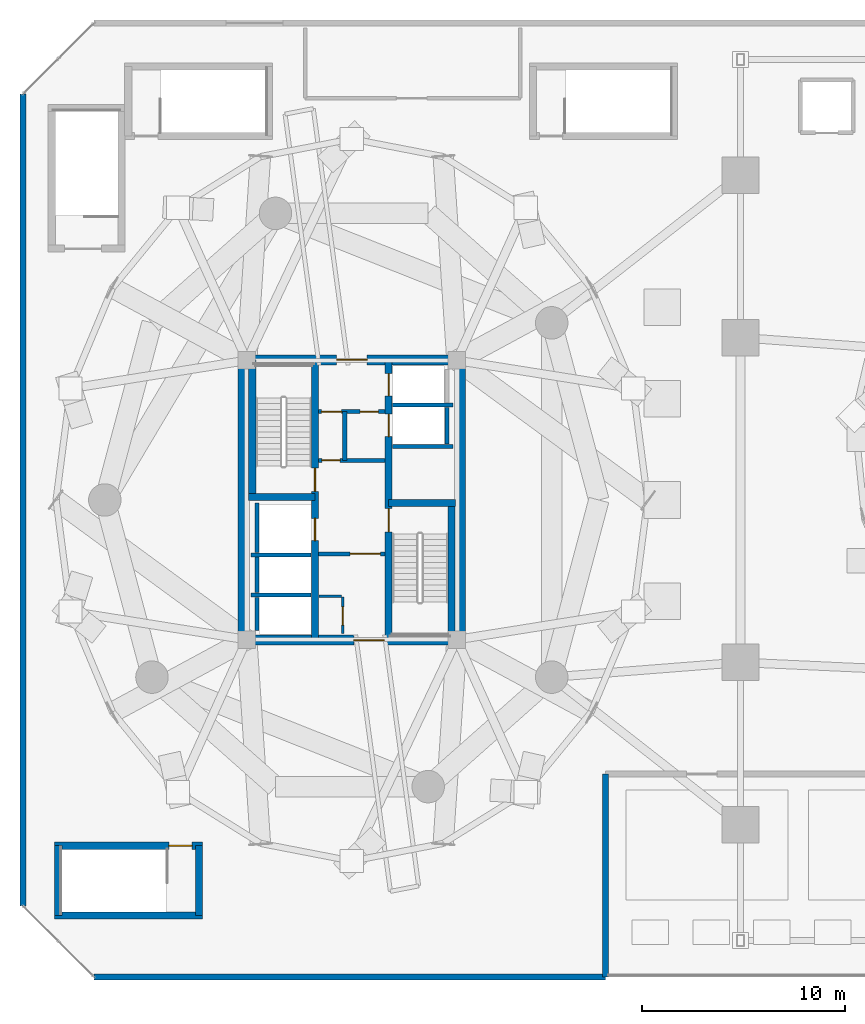
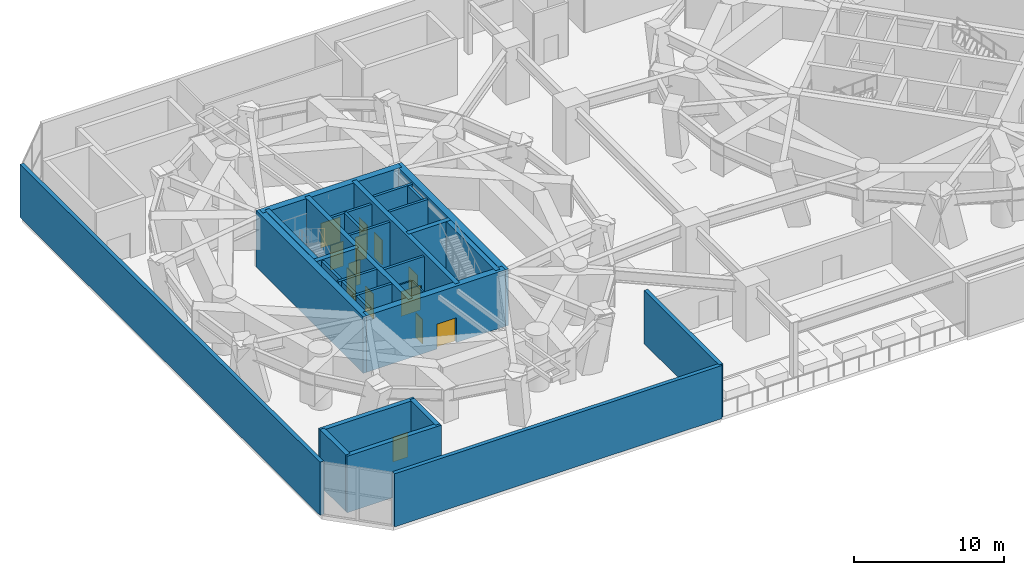
# One storey, part 17 of 25: 31 walls, 13 doors, 13 openings.
"""IFC4 building model written with IfcOpenShell, lengths in metres."""

from ifc_helpers import new_model, si_unit, direction, frame, frame_2d, origin, place, context, subcontext, project, spatial, rectangle, extrude, source, transform, mapped, material, layer, layer_set, type_object, element, fill, save


model = new_model("IFC4")

# Units and contexts
model_context = context("Model", 3, precision=1e-05, world=origin(), true_north=direction((0.0, 1.0)))
body_context = subcontext(model_context, "Body", "Model", "MODEL_VIEW")
ifc_project = project(units=[si_unit("LENGTHUNIT", "METRE"), si_unit("AREAUNIT", "SQUARE_METRE"), si_unit("VOLUMEUNIT", "CUBIC_METRE"), si_unit("PLANEANGLEUNIT", "RADIAN"), si_unit("MASSUNIT", "GRAM", prefix="KILO")], contexts=[model_context])

# Site, building, storey
site_placement = place(None, origin())
site = spatial("IfcSite", under=ifc_project, at=site_placement, CompositionType="ELEMENT")
building_placement = place(site_placement, origin())
building = spatial("IfcBuilding", under=site, at=building_placement, Name="Cununo Teusaquillo Station Towers", CompositionType="ELEMENT")
storey_placement = place(building_placement, frame((0.0, 0.0, 17.39990234375)))
storey = spatial("IfcBuildingStorey", under=building, at=storey_placement, Name="L04", CompositionType="ELEMENT", Elevation=17.39990234375)

# Walls
ifc_material_1 = material(Name="Concrete C50/60", Category="concrete")
ifc_layer_1 = layer(ifc_material_1, 0.199951171875)
ifc_layer_set_1 = layer_set([ifc_layer_1], Name="Concrete C50/60")
wall_type_1 = type_object("IfcWallType", Name="WL-CORE-200", PredefinedType="SHEAR", material=ifc_layer_set_1)
wall_1_placement = place(storey_placement, frame((11.52001953125, 21.800048828125, 0.0), z_axis=(0.0, 0.0, 1.0), x_axis=(1.0, 0.0, 0.0)))
element("IfcWall", 1, at=wall_1_placement, inside=storey, type_object=wall_type_1, Name="L04 Tower A Firefighting Lift Shaft South Shear Wall", PredefinedType="SHEAR", context=body_context, shape_type="SweptSolid", body=[
    extrude(rectangle(XDim=2.969970703125, YDim=0.199951171875, at=frame_2d((1.48486328125, 0.0))), origin(), (0.0, 0.0, 1.0), 4.60009765625),
])
wall_2_placement = place(storey_placement, frame((11.820068359375, 21.919921875, 0.0), z_axis=(0.0, 0.0, 1.0), x_axis=(0.0, 1.0, 0.0)))
element("IfcWall", 2, at=wall_2_placement, inside=storey, type_object=wall_type_1, Name="L04 Tower A Firefighting Lift Shaft Rear Shear Wall", PredefinedType="SHEAR", context=body_context, shape_type="SweptSolid", body=[
    extrude(rectangle(XDim=2.440185546875, YDim=0.199951171875, at=frame_2d((1.22021484375, 0.0))), origin(), (0.0, 0.0, 1.0), 4.60009765625),
])
wall_3_placement = place(storey_placement, frame((11.52001953125, 19.824951171875, 0.0), z_axis=(0.0, 0.0, 1.0), x_axis=(1.0, 0.0, 0.0)))
element("IfcWall", 3, at=wall_3_placement, inside=storey, type_object=wall_type_1, Name="L04 Tower A High-Rise Lift Hoistway Divider Shear Wall", PredefinedType="SHEAR", context=body_context, shape_type="SweptSolid", body=[
    extrude(rectangle(XDim=2.969970703125, YDim=0.199951171875, at=frame_2d((1.48486328125, 0.0))), origin(), (0.0, 0.0, 1.0), 4.60009765625),
])
wall_4_placement = place(storey_placement, frame((11.820068359375, 19.945068359375, 0.0), z_axis=(0.0, 0.0, 1.0), x_axis=(0.0, 1.0, 0.0)))
element("IfcWall", 4, at=wall_4_placement, inside=storey, type_object=wall_type_1, Name="L04 Tower A High-Rise Lift 2 Shaft Rear Shear Wall", PredefinedType="SHEAR", context=body_context, shape_type="SweptSolid", body=[
    extrude(rectangle(XDim=1.73486328125, YDim=0.199951171875, at=frame_2d((0.867431640625, 0.0))), origin(), (0.0, 0.0, 1.0), 4.60009765625),
])
wall_5_placement = place(storey_placement, frame((11.820068359375, 18.070068359375, 0.0), z_axis=(0.0, 0.0, 1.0), x_axis=(0.0, 1.0, 0.0)))
element("IfcWall", 5, at=wall_5_placement, inside=storey, type_object=wall_type_1, Name="L04 Tower A High-Rise Lift 1 Shaft Rear Shear Wall", PredefinedType="SHEAR", context=body_context, shape_type="SweptSolid", body=[
    extrude(rectangle(XDim=1.635009765625, YDim=0.199951171875, at=frame_2d((0.8173828125, 0.0))), origin(), (0.0, 0.0, 1.0), 4.60009765625),
])
for number, where, z_axis, x_axis, name in (
    (6, (18.510009765625, 27.1298828125, 0.0), (0.0, 0.0, 1.0), (1.0, 0.0, 0.0), "L04 Tower A Low-Rise Lift Hoistway South Shear Wall"),
    (7, (18.510009765625, 29.175048828125, 0.0), (0.0, 0.0, 1.0), (1.0, 0.0, 0.0), "L04 Tower A Low-Rise Lift Hoistway Divider Shear Wall"),
):
    element("IfcWall", number, at=place(storey_placement, frame(where, z_axis=z_axis, x_axis=x_axis)), inside=storey, type_object=wall_type_1, Name=name, PredefinedType="SHEAR", context=body_context, shape_type="SweptSolid", body=[
        extrude(rectangle(XDim=2.969970703125, YDim=0.199951171875, at=frame_2d((1.48486328125, 0.0))), origin(), (0.0, 0.0, 1.0), 4.60009765625),
    ])
wall_6_placement = place(storey_placement, frame((21.179931640625, 27.25, 0.0), z_axis=(0.0, 0.0, 1.0), x_axis=(0.0, 1.0, 0.0)))
element("IfcWall", 8, at=wall_6_placement, inside=storey, type_object=wall_type_1, Name="L04 Tower A Low-Rise Lift 1 Shaft Rear Shear Wall", PredefinedType="SHEAR", context=body_context, shape_type="SweptSolid", body=[
    extrude(rectangle(XDim=1.804931640625, YDim=0.199951171875, at=frame_2d((0.90234375, 0.0))), origin(), (0.0, 0.0, 1.0), 4.60009765625),
])
ifc_material_2 = material(Name="Concrete C50/60", Category="concrete")
ifc_layer_2 = layer(ifc_material_2, 0.35009765625)
ifc_layer_set_2 = layer_set([ifc_layer_2], Name="Concrete C50/60")
wall_type_2 = type_object("IfcWallType", Name="WL-CORE-350", PredefinedType="SHEAR", material=ifc_layer_set_2)
wall_7_placement = place(storey_placement, frame((1.860107421875, 4.034912109375, 0.0), z_axis=(0.0, 0.0, 1.0), x_axis=(1.0, 0.0, 0.0)))
element("IfcWall", 9, at=wall_7_placement, inside=storey, type_object=wall_type_2, Name="L04 Podium South Exit Stair Concrete Shaft Wall S", PredefinedType="SHEAR", context=body_context, shape_type="SweptSolid", body=[
    extrude(rectangle(XDim=7.27978515625, YDim=0.35009765625, at=frame_2d((3.639892578125, 0.0))), origin(), (0.0, 0.0, 1.0), 4.60009765625),
])

# Wall, opening, door
wall_8_placement = place(storey_placement, frame((1.860107421875, 7.465087890625, 0.0), z_axis=(0.0, 0.0, 1.0), x_axis=(1.0, 0.0, 0.0)))
wall_8 = element("IfcWall", 10, at=wall_8_placement, inside=storey, type_object=wall_type_2, Name="L04 Podium South Exit Stair Concrete Shaft Wall N", PredefinedType="SHEAR", context=body_context, shape_type="SweptSolid", body=[
    extrude(rectangle(XDim=7.27978515625, YDim=0.35009765625, at=frame_2d((3.639892578125, 0.0))), origin(), (0.0, 0.0, 1.0), 4.60009765625),
])
shared_shape_1 = source(origin(), body_context, "Body", "SweptSolid", [
    extrude(rectangle(XDim=1.14990234375, YDim=2.02001953125, at=frame_2d((0.574951171875, 1.010009765625))), frame((0.0, 0.18505859375, 0.0), z_axis=(0.0, -1.0, 0.0), x_axis=(1.0, 0.0, 0.0)), (0.0, 0.0, 1.0), 0.3701171875),
])
opening_1_placement = place(wall_8_placement, frame((5.6201171875, 0.0, 0.0)))
opening_1 = element("IfcOpeningElement", 11, at=opening_1_placement, cuts=wall_8, Name="Opening D-ST1", PredefinedType="OPENING", context=body_context, shape_type="MappedRepresentation", body=[
    mapped(shared_shape_1, transform((0.0, 0.0, 0.0), x_axis=(1.0, 0.0, 0.0), y_axis=(0.0, 1.0, 0.0), z_axis=(0.0, 0.0, 1.0), scale=1.0)),
])
ifc_material_3 = material(Name="Galvanised fire-rated hollow steel door assembly", Category="steel")
door_type_1 = type_object("IfcDoorType", Name="DR-STAIR-1150", OperationType="NOTDEFINED", PredefinedType="DOOR", material=ifc_material_3)
shared_shape_2 = source(origin(), body_context, "Body", "SweptSolid", [
    extrude(rectangle(XDim=1.14990234375, YDim=2.02001953125, at=frame_2d((0.574951171875, 1.010009765625))), frame((0.0, 0.02490234375, 0.0), z_axis=(0.0, -1.0, 0.0), x_axis=(1.0, 0.0, 0.0)), (0.0, 0.0, 1.0), 0.050048828125),
])
door_1_placement = place(opening_1_placement, origin())
door_1 = element("IfcDoor", 12, at=door_1_placement, inside=storey, type_object=door_type_1, Name="L04 South Podium Exit Stair Door", OperationType="SINGLE_SWING_RIGHT", OverallHeight=2.02001953125, OverallWidth=1.14990234375, PredefinedType="DOOR", context=body_context, shape_type="MappedRepresentation", body=[
    mapped(shared_shape_2, transform((0.0, 0.0, 0.0), x_axis=(1.0, 0.0, 0.0), y_axis=(0.0, 1.0, 0.0), z_axis=(0.0, 0.0, 1.0), scale=1.0)),
])
fill(opening_1, door_1)

# Walls
for number, where, z_axis, x_axis, name in (
    (13, (2.034912109375, 4.034912109375, 0.0), (0.0, 0.0, 1.0), (0.0, 1.0, 0.0), "L04 Podium South Exit Stair Concrete Shaft Wall W"),
    (14, (8.965087890625, 4.034912109375, 0.0), (0.0, 0.0, 1.0), (0.0, 1.0, 0.0), "L04 Podium South Exit Stair Concrete Shaft Wall E"),
):
    element("IfcWall", number, at=place(storey_placement, frame(where, z_axis=z_axis, x_axis=x_axis)), inside=storey, type_object=wall_type_2, Name=name, PredefinedType="SHEAR", context=body_context, shape_type="SweptSolid", body=[
        extrude(rectangle(XDim=3.43017578125, YDim=0.35009765625, at=frame_2d((1.715087890625, 0.0))), origin(), (0.0, 0.0, 1.0), 4.60009765625),
    ])

# Wall, openings, doors
wall_9_placement = place(storey_placement, frame((14.68505859375, 17.60009765625, 0.0), z_axis=(0.0, 0.0, 1.0), x_axis=(0.0, 1.0, 0.0)))
wall_9 = element("IfcWall", 15, at=wall_9_placement, inside=storey, type_object=wall_type_2, Name="L04 Tower A Core Shear Wall IW", PredefinedType="SHEAR", context=body_context, shape_type="SweptSolid", body=[
    extrude(rectangle(XDim=13.7998046875, YDim=0.35009765625, at=frame_2d((6.89990234375, 0.0))), origin(), (0.0, 0.0, 1.0), 4.60009765625),
])
shared_shape_3 = source(origin(), body_context, "Body", "SweptSolid", [
    extrude(rectangle(XDim=1.10009765625, YDim=2.014892578125, at=frame_2d((0.550048828125, 1.00732421875))), frame((0.0, 0.18505859375, 0.0), z_axis=(0.0, -1.0, 0.0), x_axis=(1.0, 0.0, 0.0)), (0.0, 0.0, 1.0), 0.3701171875),
])
opening_2_placement = place(wall_9_placement, frame((4.89990234375, 0.0, 0.0)))
opening_2 = element("IfcOpeningElement", 16, at=opening_2_placement, cuts=wall_9, Name="Opening LD-01", PredefinedType="OPENING", context=body_context, shape_type="MappedRepresentation", body=[
    mapped(shared_shape_3, transform((0.0, 0.0, 0.0), x_axis=(1.0, 0.0, 0.0), y_axis=(0.0, 1.0, 0.0), z_axis=(0.0, 0.0, 1.0), scale=1.0)),
])
opening_3_placement = place(wall_9_placement, frame((7.320068359375, 0.0, 0.0)))
opening_3 = element("IfcOpeningElement", 17, at=opening_3_placement, cuts=wall_9, Name="Opening D-ST1", PredefinedType="OPENING", context=body_context, shape_type="MappedRepresentation", body=[
    mapped(shared_shape_1, transform((0.0, 0.0, 0.0), x_axis=(1.0, 0.0, 0.0), y_axis=(0.0, 1.0, 0.0), z_axis=(0.0, 0.0, 1.0), scale=1.0)),
])
ifc_material_4 = material(Name="Galvanised fire-rated hollow steel door assembly", Category="steel")
door_type_2 = type_object("IfcDoorType", Name="DR-LIFT-1100", OperationType="SLIDING_TO_LEFT", PredefinedType="DOOR", material=ifc_material_4)
shared_shape_4 = source(origin(), body_context, "Body", "SweptSolid", [
    extrude(rectangle(XDim=1.10009765625, YDim=2.014892578125, at=frame_2d((0.550048828125, 1.00732421875))), frame((0.0, 0.02490234375, 0.0), z_axis=(0.0, -1.0, 0.0), x_axis=(1.0, 0.0, 0.0)), (0.0, 0.0, 1.0), 0.050048828125),
])
door_2_placement = place(opening_2_placement, origin())
door_2 = element("IfcDoor", 18, at=door_2_placement, inside=storey, type_object=door_type_2, Name="L04 Lift FL-T1 Sliding Landing Door", OperationType="SLIDING_TO_LEFT", OverallHeight=2.014892578125, OverallWidth=1.10009765625, PredefinedType="DOOR", context=body_context, shape_type="MappedRepresentation", body=[
    mapped(shared_shape_4, transform((0.0, 0.0, 0.0), x_axis=(1.0, 0.0, 0.0), y_axis=(0.0, 1.0, 0.0), z_axis=(0.0, 0.0, 1.0), scale=1.0)),
])
fill(opening_2, door_2)
door_3_placement = place(opening_3_placement, origin())
door_3 = element("IfcDoor", 19, at=door_3_placement, inside=storey, type_object=door_type_1, Name="L04 Tower A Exit Stair 1 Fire Door", OperationType="SINGLE_SWING_LEFT", OverallHeight=2.02001953125, OverallWidth=1.14990234375, PredefinedType="DOOR", context=body_context, shape_type="MappedRepresentation", body=[
    mapped(shared_shape_2, transform((0.0, 0.0, 0.0), x_axis=(1.0, 0.0, 0.0), y_axis=(0.0, 1.0, 0.0), z_axis=(0.0, 0.0, 1.0), scale=1.0)),
])
fill(opening_3, door_3)

wall_10_placement = place(storey_placement, frame((18.31494140625, 17.60009765625, 0.0), z_axis=(0.0, 0.0, 1.0), x_axis=(0.0, 1.0, 0.0)))
wall_10 = element("IfcWall", 20, at=wall_10_placement, inside=storey, type_object=wall_type_2, Name="L04 Tower A Core Shear Wall IE", PredefinedType="SHEAR", context=body_context, shape_type="SweptSolid", body=[
    extrude(rectangle(XDim=13.7998046875, YDim=0.35009765625, at=frame_2d((6.89990234375, 0.0))), origin(), (0.0, 0.0, 1.0), 4.60009765625),
])
opening_4_placement = place(wall_10_placement, frame((10.02490234375, 0.0, 0.0)))
opening_4 = element("IfcOpeningElement", 21, at=opening_4_placement, cuts=wall_10, Name="Opening LD-01", PredefinedType="OPENING", context=body_context, shape_type="MappedRepresentation", body=[
    mapped(shared_shape_3, transform((0.0, 0.0, 0.0), x_axis=(1.0, 0.0, 0.0), y_axis=(0.0, 1.0, 0.0), z_axis=(0.0, 0.0, 1.0), scale=1.0)),
])
opening_5_placement = place(wall_10_placement, frame((12.02490234375, 0.0, 0.0)))
opening_5 = element("IfcOpeningElement", 22, at=opening_5_placement, cuts=wall_10, Name="Opening LD-01", PredefinedType="OPENING", context=body_context, shape_type="MappedRepresentation", body=[
    mapped(shared_shape_3, transform((0.0, 0.0, 0.0), x_axis=(1.0, 0.0, 0.0), y_axis=(0.0, 1.0, 0.0), z_axis=(0.0, 0.0, 1.0), scale=1.0)),
])
opening_6_placement = place(wall_10_placement, frame((5.330078125, 0.0, 0.0)))
opening_6 = element("IfcOpeningElement", 23, at=opening_6_placement, cuts=wall_10, Name="Opening D-ST1", PredefinedType="OPENING", context=body_context, shape_type="MappedRepresentation", body=[
    mapped(shared_shape_1, transform((0.0, 0.0, 0.0), x_axis=(1.0, 0.0, 0.0), y_axis=(0.0, 1.0, 0.0), z_axis=(0.0, 0.0, 1.0), scale=1.0)),
])
door_4_placement = place(opening_4_placement, origin())
door_4 = element("IfcDoor", 24, at=door_4_placement, inside=storey, type_object=door_type_2, Name="L04 Lift PL-T1-L1 Sliding Landing Door", OperationType="SLIDING_TO_RIGHT", OverallHeight=2.014892578125, OverallWidth=1.10009765625, PredefinedType="DOOR", context=body_context, shape_type="MappedRepresentation", body=[
    mapped(shared_shape_4, transform((0.0, 0.0, 0.0), x_axis=(1.0, 0.0, 0.0), y_axis=(0.0, 1.0, 0.0), z_axis=(0.0, 0.0, 1.0), scale=1.0)),
])
fill(opening_4, door_4)
door_5_placement = place(opening_5_placement, origin())
door_5 = element("IfcDoor", 25, at=door_5_placement, inside=storey, type_object=door_type_2, Name="L04 Lift PL-T1-L2 Sliding Landing Door", OperationType="SLIDING_TO_LEFT", OverallHeight=2.014892578125, OverallWidth=1.10009765625, PredefinedType="DOOR", context=body_context, shape_type="MappedRepresentation", body=[
    mapped(shared_shape_4, transform((0.0, 0.0, 0.0), x_axis=(1.0, 0.0, 0.0), y_axis=(0.0, 1.0, 0.0), z_axis=(0.0, 0.0, 1.0), scale=1.0)),
])
fill(opening_5, door_5)
door_6_placement = place(opening_6_placement, origin())
door_6 = element("IfcDoor", 26, at=door_6_placement, inside=storey, type_object=door_type_1, Name="L04 Tower A Exit Stair 2 Fire Door", OperationType="SINGLE_SWING_RIGHT", OverallHeight=2.02001953125, OverallWidth=1.14990234375, PredefinedType="DOOR", context=body_context, shape_type="MappedRepresentation", body=[
    mapped(shared_shape_2, transform((0.0, 0.0, 0.0), x_axis=(1.0, 0.0, 0.0), y_axis=(0.0, 1.0, 0.0), z_axis=(0.0, 0.0, 1.0), scale=1.0)),
])
fill(opening_6, door_6)

# Walls
wall_11_placement = place(storey_placement, frame((11.594970703125, 24.655029296875, 0.0), z_axis=(0.0, 0.0, 1.0), x_axis=(0.0, 1.0, 0.0)))
element("IfcWall", 27, at=wall_11_placement, inside=storey, type_object=wall_type_2, Name="L04 Tower A Core Shear Wall ST1W", PredefinedType="SHEAR", context=body_context, shape_type="SweptSolid", body=[
    extrude(rectangle(XDim=6.744873046875, YDim=0.35009765625, at=frame_2d((3.37255859375, 0.0))), origin(), (0.0, 0.0, 1.0), 4.60009765625),
])
wall_12_placement = place(storey_placement, frame((11.39990234375, 24.655029296875, 0.0), z_axis=(0.0, 0.0, 1.0), x_axis=(1.0, 0.0, 0.0)))
element("IfcWall", 28, at=wall_12_placement, inside=storey, type_object=wall_type_2, Name="L04 Tower A Core Shear Wall ST1S", PredefinedType="SHEAR", context=body_context, shape_type="SweptSolid", body=[
    extrude(rectangle(XDim=3.28515625, YDim=0.35009765625, at=frame_2d((1.642578125, 0.0))), origin(), (0.0, 0.0, 1.0), 4.60009765625),
])
wall_13_placement = place(storey_placement, frame((21.405029296875, 17.60009765625, 0.0), z_axis=(0.0, 0.0, 1.0), x_axis=(0.0, 1.0, 0.0)))
element("IfcWall", 29, at=wall_13_placement, inside=storey, type_object=wall_type_2, Name="L04 Tower A Core Shear Wall ST2E", PredefinedType="SHEAR", context=body_context, shape_type="SweptSolid", body=[
    extrude(rectangle(XDim=6.744873046875, YDim=0.35009765625, at=frame_2d((3.37255859375, 0.0))), origin(), (0.0, 0.0, 1.0), 4.60009765625),
])
wall_14_placement = place(storey_placement, frame((18.31494140625, 24.344970703125, 0.0), z_axis=(0.0, 0.0, 1.0), x_axis=(1.0, 0.0, 0.0)))
element("IfcWall", 30, at=wall_14_placement, inside=storey, type_object=wall_type_2, Name="L04 Tower A Core Shear Wall ST2N", PredefinedType="SHEAR", context=body_context, shape_type="SweptSolid", body=[
    extrude(rectangle(XDim=3.28515625, YDim=0.35009765625, at=frame_2d((1.642578125, 0.0))), origin(), (0.0, 0.0, 1.0), 4.60009765625),
])
ifc_material_5 = material(Name="Concrete C60/75", Category="concrete")
ifc_layer_3 = layer(ifc_material_5, 0.5)
ifc_layer_set_3 = layer_set([ifc_layer_3], Name="Concrete C60/75")
wall_type_3 = type_object("IfcWallType", Name="WL-CORE-500", PredefinedType="SHEAR", material=ifc_layer_set_3)
for number, where, z_axis, x_axis, name in (
    (31, (11.14990234375, 17.35009765625, 0.0), (0.0, 0.0, 1.0), (0.0, 1.0, 0.0), "L04 Tower A Core Shear Wall W"),
    (32, (21.85009765625, 17.35009765625, 0.0), (0.0, 0.0, 1.0), (0.0, 1.0, 0.0), "L04 Tower A Core Shear Wall E"),
):
    element("IfcWall", number, at=place(storey_placement, frame(where, z_axis=z_axis, x_axis=x_axis)), inside=storey, type_object=wall_type_3, Name=name, PredefinedType="SHEAR", context=body_context, shape_type="SweptSolid", body=[
        extrude(rectangle(XDim=14.2998046875, YDim=0.5, at=frame_2d((7.14990234375, 0.0))), origin(), (0.0, 0.0, 1.0), 4.60009765625),
    ])

# Wall, opening, door
wall_15_placement = place(storey_placement, frame((11.14990234375, 17.60009765625, 0.0), z_axis=(0.0, 0.0, 1.0), x_axis=(1.0, 0.0, 0.0)))
wall_15 = element("IfcWall", 33, at=wall_15_placement, inside=storey, type_object=wall_type_3, Name="L04 Tower A Core Shear Wall S", PredefinedType="SHEAR", context=body_context, shape_type="SweptSolid", body=[
    extrude(rectangle(XDim=10.7001953125, YDim=0.5, at=frame_2d((5.35009765625, 0.0))), origin(), (0.0, 0.0, 1.0), 4.60009765625),
])
shared_shape_5 = source(origin(), body_context, "Body", "SweptSolid", [
    extrude(rectangle(XDim=1.5, YDim=2.02001953125, at=frame_2d((0.75, 1.010009765625))), frame((0.0, 0.260009765625, 0.0), z_axis=(0.0, -1.0, 0.0), x_axis=(1.0, 0.0, 0.0)), (0.0, 0.0, 1.0), 0.52001953125),
])
opening_7_placement = place(wall_15_placement, frame((5.449951171875, 0.0, 0.0)))
opening_7 = element("IfcOpeningElement", 34, at=opening_7_placement, cuts=wall_15, Name="Opening D-LB1", PredefinedType="OPENING", context=body_context, shape_type="MappedRepresentation", body=[
    mapped(shared_shape_5, transform((0.0, 0.0, 0.0), x_axis=(1.0, 0.0, 0.0), y_axis=(0.0, 1.0, 0.0), z_axis=(0.0, 0.0, 1.0), scale=1.0)),
])
ifc_material_6 = material(Name="Galvanised fire-rated hollow steel door assembly", Category="steel")
door_type_3 = type_object("IfcDoorType", Name="DR-LOBBY-1500", OperationType="DOUBLE_DOOR_SINGLE_SWING", PredefinedType="DOOR", material=ifc_material_6)
shared_shape_6 = source(origin(), body_context, "Body", "SweptSolid", [
    extrude(rectangle(XDim=1.5, YDim=2.02001953125, at=frame_2d((0.75, 1.010009765625))), frame((0.0, 0.02490234375, 0.0), z_axis=(0.0, -1.0, 0.0), x_axis=(1.0, 0.0, 0.0)), (0.0, 0.0, 1.0), 0.050048828125),
])
door_7_placement = place(opening_7_placement, origin())
door_7 = element("IfcDoor", 35, at=door_7_placement, inside=storey, type_object=door_type_3, Name="L04 Tower A South Core Lift Lobby Door", OperationType="DOUBLE_DOOR_SINGLE_SWING", OverallHeight=2.02001953125, OverallWidth=1.5, PredefinedType="DOOR", context=body_context, shape_type="MappedRepresentation", body=[
    mapped(shared_shape_6, transform((0.0, 0.0, 0.0), x_axis=(1.0, 0.0, 0.0), y_axis=(0.0, 1.0, 0.0), z_axis=(0.0, 0.0, 1.0), scale=1.0)),
])
fill(opening_7, door_7)

wall_16_placement = place(storey_placement, frame((11.14990234375, 31.39990234375, 0.0), z_axis=(0.0, 0.0, 1.0), x_axis=(1.0, 0.0, 0.0)))
wall_16 = element("IfcWall", 36, at=wall_16_placement, inside=storey, type_object=wall_type_3, Name="L04 Tower A Core Shear Wall N", PredefinedType="SHEAR", context=body_context, shape_type="SweptSolid", body=[
    extrude(rectangle(XDim=10.7001953125, YDim=0.5, at=frame_2d((5.35009765625, 0.0))), origin(), (0.0, 0.0, 1.0), 4.60009765625),
])
opening_8_placement = place(wall_16_placement, frame((4.60009765625, 0.0, 0.0)))
opening_8 = element("IfcOpeningElement", 37, at=opening_8_placement, cuts=wall_16, Name="Opening D-LB1", PredefinedType="OPENING", context=body_context, shape_type="MappedRepresentation", body=[
    mapped(shared_shape_5, transform((0.0, 0.0, 0.0), x_axis=(1.0, 0.0, 0.0), y_axis=(0.0, 1.0, 0.0), z_axis=(0.0, 0.0, 1.0), scale=1.0)),
])
door_8_placement = place(opening_8_placement, origin())
door_8 = element("IfcDoor", 38, at=door_8_placement, inside=storey, type_object=door_type_3, Name="L04 Tower A North Core Lift Lobby Door", OperationType="DOUBLE_DOOR_SINGLE_SWING", OverallHeight=2.02001953125, OverallWidth=1.5, PredefinedType="DOOR", context=body_context, shape_type="MappedRepresentation", body=[
    mapped(shared_shape_6, transform((0.0, 0.0, 0.0), x_axis=(1.0, 0.0, 0.0), y_axis=(0.0, 1.0, 0.0), z_axis=(0.0, 0.0, 1.0), scale=1.0)),
])
fill(opening_8, door_8)

# Walls
ifc_material_7 = material(Name="Precast concrete C40/50", Category="concrete")
ifc_layer_4 = layer(ifc_material_7, 0.300048828125)
ifc_layer_set_4 = layer_set([ifc_layer_4], Name="Precast concrete C40/50")
wall_type_4 = type_object("IfcWallType", Name="WL-EXT-300", PredefinedType="SOLIDWALL", material=ifc_layer_set_4)
wall_17_placement = place(storey_placement, frame((0.300048828125, 4.5, 0.0), z_axis=(0.0, 0.0, 1.0), x_axis=(0.0, 1.0, 0.0)))
element("IfcWall", 39, at=wall_17_placement, inside=storey, type_object=wall_type_4, Name="L04 Station Podium Facade Wall 1", PredefinedType="SOLIDWALL", context=body_context, shape_type="SweptSolid", body=[
    extrude(rectangle(XDim=40.0, YDim=0.300048828125, at=frame_2d((20.0, 0.0))), origin(), (0.0, 0.0, 1.0), 4.3251953125),
])
wall_18_placement = place(storey_placement, frame((29.0, 11.0, 0.0), z_axis=(0.0, 0.0, 1.0), x_axis=(0.0, -1.0, 0.0)))
element("IfcWall", 40, at=wall_18_placement, inside=storey, type_object=wall_type_4, Name="L04 Podium Exterior Wall TRW", PredefinedType="SOLIDWALL", context=body_context, shape_type="SweptSolid", body=[
    extrude(rectangle(XDim=10.0, YDim=0.300048828125, at=frame_2d((5.0, 0.0))), origin(), (0.0, 0.0, 1.0), 4.3251953125),
])
wall_19_placement = place(storey_placement, frame((29.0, 1.0, 0.0), z_axis=(0.0, 0.0, 1.0), x_axis=(-1.0, 0.0, 0.0)))
element("IfcWall", 41, at=wall_19_placement, inside=storey, type_object=wall_type_4, Name="L04 Podium Exterior Wall SW", PredefinedType="SOLIDWALL", context=body_context, shape_type="SweptSolid", body=[
    extrude(rectangle(XDim=25.199951171875, YDim=0.300048828125, at=frame_2d((12.60009765625, 0.0))), origin(), (0.0, 0.0, 1.0), 4.3251953125),
])

# Wall, opening, door
ifc_material_8 = material(Name="Fire-rated gypsum plasterboard partition assembly", Category="gypsum")
ifc_layer_5 = layer(ifc_material_8, 0.125)
ifc_layer_set_5 = layer_set([ifc_layer_5], Name="Fire-rated gypsum plasterboard partition assembly")
wall_type_5 = type_object("IfcWallType", Name="WL-PART-125", PredefinedType="PARTITIONING", material=ifc_layer_set_5)
wall_20_placement = place(storey_placement, frame((16.050048828125, 17.919921875, 0.0), z_axis=(0.0, 0.0, 1.0), x_axis=(0.0, 1.0, 0.0)))
wall_20 = element("IfcWall", 42, at=wall_20_placement, inside=storey, type_object=wall_type_5, Name="L04 Tower A South-West Compact Store East Wall", PredefinedType="PARTITIONING", context=body_context, shape_type="SweptSolid", body=[
    extrude(rectangle(XDim=1.800048828125, YDim=0.125, at=frame_2d((0.89990234375, 0.0))), origin(), (0.0, 0.0, 1.0), 4.3251953125),
])
shared_shape_7 = source(origin(), body_context, "Body", "SweptSolid", [
    extrude(rectangle(XDim=0.89990234375, YDim=2.0048828125, at=frame_2d((0.449951171875, 1.00244140625))), frame((0.0, 0.072509765625, 0.0), z_axis=(0.0, -1.0, 0.0), x_axis=(1.0, 0.0, 0.0)), (0.0, 0.0, 1.0), 0.14501953125),
])
opening_9_placement = place(wall_20_placement, frame((0.419921875, 0.0, 0.0)))
opening_9 = element("IfcOpeningElement", 43, at=opening_9_placement, cuts=wall_20, Name="Opening D-SR1", PredefinedType="OPENING", context=body_context, shape_type="MappedRepresentation", body=[
    mapped(shared_shape_7, transform((0.0, 0.0, 0.0), x_axis=(1.0, 0.0, 0.0), y_axis=(0.0, 1.0, 0.0), z_axis=(0.0, 0.0, 1.0), scale=1.0)),
])
ifc_material_9 = material(Name="Galvanised fire-rated hollow steel door assembly", Category="steel")
door_type_4 = type_object("IfcDoorType", Name="DR-STORE-900", OperationType="NOTDEFINED", PredefinedType="DOOR", material=ifc_material_9)
shared_shape_8 = source(origin(), body_context, "Body", "SweptSolid", [
    extrude(rectangle(XDim=0.89990234375, YDim=2.0048828125, at=frame_2d((0.449951171875, 1.00244140625))), frame((0.0, 0.02490234375, 0.0), z_axis=(0.0, -1.0, 0.0), x_axis=(1.0, 0.0, 0.0)), (0.0, 0.0, 1.0), 0.050048828125),
])
door_9_placement = place(opening_9_placement, origin())
door_9 = element("IfcDoor", 44, at=door_9_placement, inside=storey, type_object=door_type_4, Name="L04 Tower A Core Electrical & Comms Store Door", OperationType="SINGLE_SWING_LEFT", OverallHeight=2.0048828125, OverallWidth=0.89990234375, PredefinedType="DOOR", context=body_context, shape_type="MappedRepresentation", body=[
    mapped(shared_shape_8, transform((0.0, 0.0, 0.0), x_axis=(1.0, 0.0, 0.0), y_axis=(0.0, 1.0, 0.0), z_axis=(0.0, 0.0, 1.0), scale=1.0)),
])
fill(opening_9, door_9)

# Wall
wall_21_placement = place(storey_placement, frame((14.8798828125, 19.75, 0.0), z_axis=(0.0, 0.0, 1.0), x_axis=(1.0, 0.0, 0.0)))
element("IfcWall", 45, at=wall_21_placement, inside=storey, type_object=wall_type_5, Name="L04 Tower A South-West Compact Store North Wall", PredefinedType="PARTITIONING", context=body_context, shape_type="SweptSolid", body=[
    extrude(rectangle(XDim=1.10009765625, YDim=0.125, at=frame_2d((0.550048828125, 0.0))), origin(), (0.0, 0.0, 1.0), 4.3251953125),
])

# Wall, opening, door
ifc_material_10 = material(Name="Fire-rated gypsum plasterboard partition assembly", Category="gypsum")
ifc_layer_6 = layer(ifc_material_10, 0.199951171875)
ifc_layer_set_6 = layer_set([ifc_layer_6], Name="Fire-rated gypsum plasterboard partition assembly")
wall_type_6 = type_object("IfcWallType", Name="WL-PART-200", PredefinedType="PARTITIONING", material=ifc_layer_set_6)
wall_22_placement = place(storey_placement, frame((14.860107421875, 21.85009765625, 0.0), z_axis=(0.0, 0.0, 1.0), x_axis=(1.0, 0.0, 0.0)))
wall_22 = element("IfcWall", 46, at=wall_22_placement, inside=storey, type_object=wall_type_6, Name="L04 Tower A Firefighting Lift Lobby South Fire Wall", PredefinedType="PARTITIONING", context=body_context, shape_type="SweptSolid", body=[
    extrude(rectangle(XDim=3.27978515625, YDim=0.199951171875, at=frame_2d((1.639892578125, 0.0))), origin(), (0.0, 0.0, 1.0), 4.3251953125),
])
shared_shape_9 = source(origin(), body_context, "Body", "SweptSolid", [
    extrude(rectangle(XDim=1.5, YDim=2.02001953125, at=frame_2d((0.75, 1.010009765625))), frame((0.0, 0.10986328125, 0.0), z_axis=(0.0, -1.0, 0.0), x_axis=(1.0, 0.0, 0.0)), (0.0, 0.0, 1.0), 0.219970703125),
])
opening_10_placement = place(wall_22_placement, frame((1.550048828125, 0.0, 0.0)))
opening_10 = element("IfcOpeningElement", 47, at=opening_10_placement, cuts=wall_22, Name="Opening D-LB1", PredefinedType="OPENING", context=body_context, shape_type="MappedRepresentation", body=[
    mapped(shared_shape_9, transform((0.0, 0.0, 0.0), x_axis=(1.0, 0.0, 0.0), y_axis=(0.0, 1.0, 0.0), z_axis=(0.0, 0.0, 1.0), scale=1.0)),
])
door_10_placement = place(opening_10_placement, origin())
door_10 = element("IfcDoor", 48, at=door_10_placement, inside=storey, type_object=door_type_3, Name="L04 Tower A Firefighting Lift Lobby South Fire Door", OperationType="DOUBLE_DOOR_SINGLE_SWING", OverallHeight=2.02001953125, OverallWidth=1.5, PredefinedType="DOOR", context=body_context, shape_type="MappedRepresentation", body=[
    mapped(shared_shape_6, transform((0.0, 0.0, 0.0), x_axis=(1.0, 0.0, 0.0), y_axis=(0.0, 1.0, 0.0), z_axis=(0.0, 0.0, 1.0), scale=1.0)),
])
fill(opening_10, door_10)

wall_23_placement = place(storey_placement, frame((14.860107421875, 26.449951171875, 0.0), z_axis=(0.0, 0.0, 1.0), x_axis=(1.0, 0.0, 0.0)))
wall_23 = element("IfcWall", 49, at=wall_23_placement, inside=storey, type_object=wall_type_6, Name="L04 Tower A Firefighting Lift Lobby North Fire Wall", PredefinedType="PARTITIONING", context=body_context, shape_type="SweptSolid", body=[
    extrude(rectangle(XDim=3.27978515625, YDim=0.199951171875, at=frame_2d((1.639892578125, 0.0))), origin(), (0.0, 0.0, 1.0), 4.3251953125),
])
shared_shape_10 = source(origin(), body_context, "Body", "SweptSolid", [
    extrude(rectangle(XDim=0.89990234375, YDim=2.0048828125, at=frame_2d((0.449951171875, 1.00244140625))), frame((0.0, 0.10986328125, 0.0), z_axis=(0.0, -1.0, 0.0), x_axis=(1.0, 0.0, 0.0)), (0.0, 0.0, 1.0), 0.219970703125),
])
opening_11_placement = place(wall_23_placement, frame((0.159912109375, 0.0, 0.0)))
opening_11 = element("IfcOpeningElement", 50, at=opening_11_placement, cuts=wall_23, Name="Opening D-SR1", PredefinedType="OPENING", context=body_context, shape_type="MappedRepresentation", body=[
    mapped(shared_shape_10, transform((0.0, 0.0, 0.0), x_axis=(1.0, 0.0, 0.0), y_axis=(0.0, 1.0, 0.0), z_axis=(0.0, 0.0, 1.0), scale=1.0)),
])
door_11_placement = place(opening_11_placement, origin())
door_11 = element("IfcDoor", 51, at=door_11_placement, inside=storey, type_object=door_type_4, Name="L04 Tower A Stair 1 Protected Vestibule South Door", OperationType="SINGLE_SWING_LEFT", OverallHeight=2.0048828125, OverallWidth=0.89990234375, PredefinedType="DOOR", context=body_context, shape_type="MappedRepresentation", body=[
    mapped(shared_shape_8, transform((0.0, 0.0, 0.0), x_axis=(1.0, 0.0, 0.0), y_axis=(0.0, 1.0, 0.0), z_axis=(0.0, 0.0, 1.0), scale=1.0)),
])
fill(opening_11, door_11)

# Wall
wall_24_placement = place(storey_placement, frame((16.14990234375, 26.449951171875, 0.0), z_axis=(0.0, 0.0, 1.0), x_axis=(0.0, 1.0, 0.0)))
element("IfcWall", 52, at=wall_24_placement, inside=storey, type_object=wall_type_6, Name="L04 Tower A Stair 1 Vestibule Partition Wall", PredefinedType="PARTITIONING", context=body_context, shape_type="SweptSolid", body=[
    extrude(rectangle(XDim=2.400146484375, YDim=0.199951171875, at=frame_2d((1.2001953125, 0.0))), origin(), (0.0, 0.0, 1.0), 4.3251953125),
])

# Wall, openings, doors
wall_25_placement = place(storey_placement, frame((14.860107421875, 28.85009765625, 0.0), z_axis=(0.0, 0.0, 1.0), x_axis=(1.0, 0.0, 0.0)))
wall_25 = element("IfcWall", 53, at=wall_25_placement, inside=storey, type_object=wall_type_6, Name="L04 Tower A North Lift Lobby South Fire Wall", PredefinedType="PARTITIONING", context=body_context, shape_type="SweptSolid", body=[
    extrude(rectangle(XDim=3.27978515625, YDim=0.199951171875, at=frame_2d((1.639892578125, 0.0))), origin(), (0.0, 0.0, 1.0), 4.3251953125),
])
shared_shape_11 = source(origin(), body_context, "Body", "SweptSolid", [
    extrude(rectangle(XDim=1.0, YDim=2.014892578125, at=frame_2d((0.5, 1.00732421875))), frame((0.0, 0.10986328125, 0.0), z_axis=(0.0, -1.0, 0.0), x_axis=(1.0, 0.0, 0.0)), (0.0, 0.0, 1.0), 0.219970703125),
])
opening_12_placement = place(wall_25_placement, frame((0.139892578125, 0.0, 0.0)))
opening_12 = element("IfcOpeningElement", 54, at=opening_12_placement, cuts=wall_25, Name="Opening D-AC1", PredefinedType="OPENING", context=body_context, shape_type="MappedRepresentation", body=[
    mapped(shared_shape_11, transform((0.0, 0.0, 0.0), x_axis=(1.0, 0.0, 0.0), y_axis=(0.0, 1.0, 0.0), z_axis=(0.0, 0.0, 1.0), scale=1.0)),
])
opening_13_placement = place(wall_25_placement, frame((2.050048828125, 0.0, 0.0)))
opening_13 = element("IfcOpeningElement", 55, at=opening_13_placement, cuts=wall_25, Name="Opening D-SR1", PredefinedType="OPENING", context=body_context, shape_type="MappedRepresentation", body=[
    mapped(shared_shape_10, transform((0.0, 0.0, 0.0), x_axis=(1.0, 0.0, 0.0), y_axis=(0.0, 1.0, 0.0), z_axis=(0.0, 0.0, 1.0), scale=1.0)),
])
door_12_placement = place(opening_13_placement, origin())
door_12 = element("IfcDoor", 56, at=door_12_placement, inside=storey, type_object=door_type_4, Name="L04 Tower A Core Housekeeping & Linen Store Door", OperationType="SINGLE_SWING_RIGHT", OverallHeight=2.0048828125, OverallWidth=0.89990234375, PredefinedType="DOOR", context=body_context, shape_type="MappedRepresentation", body=[
    mapped(shared_shape_8, transform((0.0, 0.0, 0.0), x_axis=(1.0, 0.0, 0.0), y_axis=(0.0, 1.0, 0.0), z_axis=(0.0, 0.0, 1.0), scale=1.0)),
])
fill(opening_13, door_12)
ifc_material_11 = material(Name="Acoustic solid-core hardwood leaf assembly", Category="wood")
door_type_5 = type_object("IfcDoorType", Name="DR-ACC-1000", OperationType="NOTDEFINED", PredefinedType="DOOR", material=ifc_material_11)
shared_shape_12 = source(origin(), body_context, "Body", "SweptSolid", [
    extrude(rectangle(XDim=1.0, YDim=2.014892578125, at=frame_2d((0.5, 1.00732421875))), frame((0.0, 0.02490234375, 0.0), z_axis=(0.0, -1.0, 0.0), x_axis=(1.0, 0.0, 0.0)), (0.0, 0.0, 1.0), 0.050048828125),
])
door_13_placement = place(opening_12_placement, origin())
door_13 = element("IfcDoor", 57, at=door_13_placement, inside=storey, type_object=door_type_5, Name="L04 Tower A North Lift Lobby to Stair 1 Vestibule Door", OperationType="SINGLE_SWING_RIGHT", OverallHeight=2.014892578125, OverallWidth=1.0, PredefinedType="DOOR", context=body_context, shape_type="MappedRepresentation", body=[
    mapped(shared_shape_12, transform((0.0, 0.0, 0.0), x_axis=(1.0, 0.0, 0.0), y_axis=(0.0, 1.0, 0.0), z_axis=(0.0, 0.0, 1.0), scale=1.0)),
])
fill(opening_12, door_13)

save(model, "model.ifc")
